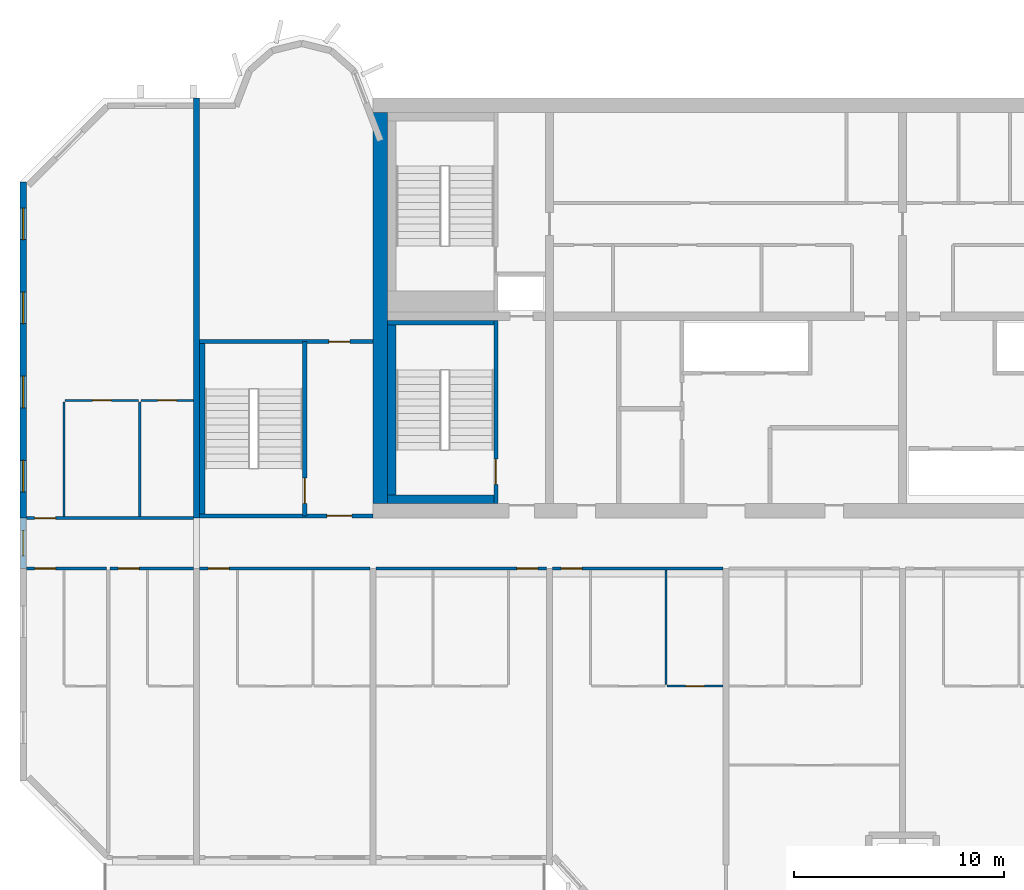
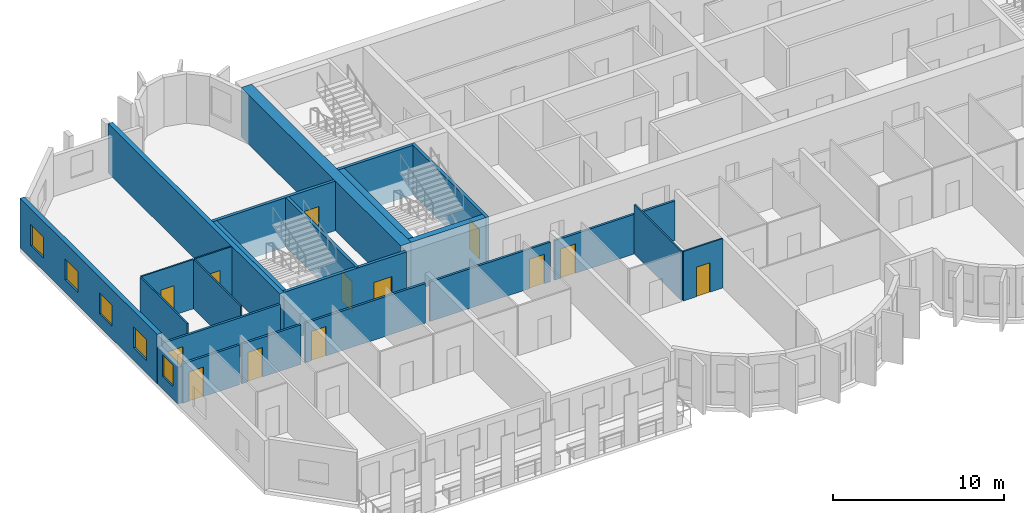
# One storey, part 3 of 13: 24 walls, 13 doors, 5 windows, 18 openings.
"""IFC4 building model written with IfcOpenShell, lengths in metres."""

from ifc_helpers import new_model, si_unit, direction, frame, frame_2d, origin, place, context, subcontext, project, spatial, rectangle, extrude, source, transform, mapped, material, layer, layer_set, type_object, element, fill, save


model = new_model("IFC4")

# Units and contexts
model_context = context("Model", 3, precision=1e-05, world=origin(), true_north=direction((0.0, 1.0)))
body_context = subcontext(model_context, "Body", "Model", "MODEL_VIEW")
ifc_project = project(units=[si_unit("LENGTHUNIT", "METRE"), si_unit("AREAUNIT", "SQUARE_METRE"), si_unit("VOLUMEUNIT", "CUBIC_METRE"), si_unit("PLANEANGLEUNIT", "RADIAN"), si_unit("MASSUNIT", "GRAM", prefix="KILO")], contexts=[model_context])

# Site, building, storey
site_placement = place(None, origin())
site = spatial("IfcSite", under=ifc_project, at=site_placement, CompositionType="ELEMENT")
building_placement = place(site_placement, origin())
building = spatial("IfcBuilding", under=site, at=building_placement, Name="Vanashikhar Sky Hotel", CompositionType="ELEMENT")
storey_placement = place(building_placement, frame((0.0, 0.0, 185.800048828125)))
storey = spatial("IfcBuildingStorey", under=building, at=storey_placement, Name="L45", CompositionType="ELEMENT", Elevation=185.800048828125)

# Wall
ifc_material_1 = material(Name="Concrete M60", Category="concrete")
ifc_layer_1 = layer(ifc_material_1, 0.699951171875)
ifc_layer_set_1 = layer_set([ifc_layer_1], Name="RC core shell wall 700 Concrete M60")
wall_type_1 = type_object("IfcWallType", Name="RC core shell wall 700 Concrete M60", PredefinedType="SHEAR", material=ifc_layer_set_1)
shared_shape_1 = source(origin(), body_context, "Body", "SweptSolid", [
    extrude(rectangle(XDim=18.60009765625, YDim=0.699951171875, at=frame_2d((9.300048828125, 0.0))), origin(), (0.0, 0.0, 1.0), 3.52001953125),
])
wall_1_placement = place(storey_placement, frame((25.550048828125, 22.699951171875, 0.0), z_axis=(0.0, 0.0, 1.0), x_axis=(0.0, 1.0, 0.0)))
element("IfcWall", 1, at=wall_1_placement, inside=storey, type_object=wall_type_1, Name="KW-L45-KW", PredefinedType="SHEAR", context=body_context, shape_type="MappedRepresentation", body=[
    mapped(shared_shape_1, transform((0.0, 0.0, 0.0), scale=1.0)),
])

# Wall, openings, windows
ifc_layer_2 = layer(ifc_material_1, 0.300048828125)
ifc_layer_set_2 = layer_set([ifc_layer_2], Name="RC shear wall 300 Concrete M60")
wall_type_2 = type_object("IfcWallType", Name="RC shear wall 300 Concrete M60", PredefinedType="SHEAR", material=ifc_layer_set_2)
shared_shape_2 = source(origin(), body_context, "Body", "SweptSolid", [
    extrude(rectangle(XDim=16.0, YDim=0.300048828125, at=frame_2d((8.0, 0.0))), origin(), (0.0, 0.0, 1.0), 3.52001953125),
])
wall_2_placement = place(storey_placement, frame((8.550048828125, 22.0, 0.0), z_axis=(0.0, 0.0, 1.0), x_axis=(0.0, 1.0, 0.0)))
wall_2 = element("IfcWall", 2, at=wall_2_placement, inside=storey, type_object=wall_type_2, Name="CW-L45-XW02-2", PredefinedType="SHEAR", context=body_context, shape_type="MappedRepresentation", body=[
    mapped(shared_shape_2, transform((0.0, 0.0, 0.0), scale=1.0)),
])
shared_shape_3 = source(origin(), body_context, "Body", "SweptSolid", [
    extrude(rectangle(XDim=1.5, YDim=1.5, at=frame_2d((0.75, 0.75))), frame((0.0, 0.16015625, 0.0), z_axis=(0.0, -1.0, 0.0), x_axis=(1.0, 0.0, 0.0)), (0.0, 0.0, 1.0), 0.320068359375),
])
opening_1_placement = place(wall_2_placement, frame((1.25, 0.0, 0.89990234375)))
opening_1 = element("IfcOpeningElement", 3, at=opening_1_placement, cuts=wall_2, Name="Opening WN-1", PredefinedType="OPENING", context=body_context, shape_type="MappedRepresentation", body=[
    mapped(shared_shape_3, transform((0.0, 0.0, 0.0), scale=1.0)),
])
opening_2_placement = place(wall_2_placement, frame((5.25, 0.0, 0.89990234375)))
opening_2 = element("IfcOpeningElement", 4, at=opening_2_placement, cuts=wall_2, Name="Opening WN-1", PredefinedType="OPENING", context=body_context, shape_type="MappedRepresentation", body=[
    mapped(shared_shape_3, transform((0.0, 0.0, 0.0), scale=1.0)),
])
opening_3_placement = place(wall_2_placement, frame((9.25, 0.0, 0.89990234375)))
opening_3 = element("IfcOpeningElement", 5, at=opening_3_placement, cuts=wall_2, Name="Opening WN-1", PredefinedType="OPENING", context=body_context, shape_type="MappedRepresentation", body=[
    mapped(shared_shape_3, transform((0.0, 0.0, 0.0), scale=1.0)),
])
opening_4_placement = place(wall_2_placement, frame((13.25, 0.0, 0.89990234375)))
opening_4 = element("IfcOpeningElement", 6, at=opening_4_placement, cuts=wall_2, Name="Opening WN-1", PredefinedType="OPENING", context=body_context, shape_type="MappedRepresentation", body=[
    mapped(shared_shape_3, transform((0.0, 0.0, 0.0), scale=1.0)),
])
ifc_material_2 = material(Name="Glass", Category="glass")
window_type_1 = type_object("IfcWindowType", Name="Window 1500 x 1500", PartitioningType="SINGLE_PANEL", PredefinedType="WINDOW", material=ifc_material_2)
shared_shape_4 = source(origin(), body_context, "Body", "SweptSolid", [
    extrude(rectangle(XDim=1.5, YDim=1.5, at=frame_2d((0.75, 0.75))), frame((0.0, 0.030029296875, 0.0), z_axis=(0.0, -1.0, 0.0), x_axis=(1.0, 0.0, 0.0)), (0.0, 0.0, 1.0), 0.06005859375),
])
window_1_placement = place(opening_1_placement, origin())
window_1 = element("IfcWindow", 7, at=window_1_placement, inside=storey, type_object=window_type_1, Name="Window WN-1", OverallHeight=1.5, OverallWidth=1.5, PartitioningType="SINGLE_PANEL", PredefinedType="WINDOW", context=body_context, shape_type="MappedRepresentation", body=[
    mapped(shared_shape_4, transform((0.0, 0.0, 0.0), scale=1.0)),
])
fill(opening_1, window_1)
window_2_placement = place(opening_2_placement, origin())
window_2 = element("IfcWindow", 8, at=window_2_placement, inside=storey, type_object=window_type_1, Name="Window WN-1", OverallHeight=1.5, OverallWidth=1.5, PartitioningType="SINGLE_PANEL", PredefinedType="WINDOW", context=body_context, shape_type="MappedRepresentation", body=[
    mapped(shared_shape_4, transform((0.0, 0.0, 0.0), scale=1.0)),
])
fill(opening_2, window_2)
window_3_placement = place(opening_3_placement, origin())
window_3 = element("IfcWindow", 9, at=window_3_placement, inside=storey, type_object=window_type_1, Name="Window WN-1", OverallHeight=1.5, OverallWidth=1.5, PartitioningType="SINGLE_PANEL", PredefinedType="WINDOW", context=body_context, shape_type="MappedRepresentation", body=[
    mapped(shared_shape_4, transform((0.0, 0.0, 0.0), scale=1.0)),
])
fill(opening_3, window_3)
window_4_placement = place(opening_4_placement, origin())
window_4 = element("IfcWindow", 10, at=window_4_placement, inside=storey, type_object=window_type_1, Name="Window WN-1", OverallHeight=1.5, OverallWidth=1.5, PartitioningType="SINGLE_PANEL", PredefinedType="WINDOW", context=body_context, shape_type="MappedRepresentation", body=[
    mapped(shared_shape_4, transform((0.0, 0.0, 0.0), scale=1.0)),
])
fill(opening_4, window_4)

# Wall
shared_shape_5 = source(origin(), body_context, "Body", "SweptSolid", [
    extrude(rectangle(XDim=20.0, YDim=0.300048828125, at=frame_2d((10.0, 0.0))), origin(), (0.0, 0.0, 1.0), 3.52001953125),
])
wall_3_placement = place(storey_placement, frame((16.800048828125, 22.0, 0.0), z_axis=(0.0, 0.0, 1.0), x_axis=(0.0, 1.0, 0.0)))
element("IfcWall", 11, at=wall_3_placement, inside=storey, type_object=wall_type_2, Name="CW-L45-XW03-2", PredefinedType="SHEAR", context=body_context, shape_type="MappedRepresentation", body=[
    mapped(shared_shape_5, transform((0.0, 0.0, 0.0), scale=1.0)),
])

# Wall, opening, window
ifc_material_3 = material(Name="Concrete M50", Category="concrete")
ifc_layer_3 = layer(ifc_material_3, 0.25)
ifc_layer_set_3 = layer_set([ifc_layer_3], Name="Rear and end board-marked wall 250")
wall_type_3 = type_object("IfcWallType", Name="Rear and end board-marked wall 250", PredefinedType="SOLIDWALL", material=ifc_layer_set_3)
shared_shape_6 = source(origin(), body_context, "Body", "SweptSolid", [
    extrude(rectangle(XDim=2.39990234375, YDim=0.25, at=frame_2d((1.199951171875, 0.0))), origin(), (0.0, 0.0, 1.0), 2.619873046875),
])
wall_4_placement = place(storey_placement, frame((8.550048828125, 19.60009765625, 0.0), z_axis=(0.0, 0.0, 1.0), x_axis=(0.0, 1.0, 0.0)))
wall_4 = element("IfcWall", 12, at=wall_4_placement, inside=storey, type_object=wall_type_3, Name="End corridor infill wall", PredefinedType="SOLIDWALL", context=body_context, shape_type="MappedRepresentation", body=[
    mapped(shared_shape_6, transform((0.0, 0.0, 0.0), scale=1.0)),
])
shared_shape_7 = source(origin(), body_context, "Body", "SweptSolid", [
    extrude(rectangle(XDim=1.199951171875, YDim=1.5, at=frame_2d((0.60009765625, 0.75))), frame((0.0, 0.135009765625, 0.0), z_axis=(0.0, -1.0, 0.0), x_axis=(1.0, 0.0, 0.0)), (0.0, 0.0, 1.0), 0.27001953125),
])
opening_5_placement = place(wall_4_placement, frame((0.60009765625, 0.0, 0.89990234375)))
opening_5 = element("IfcOpeningElement", 13, at=opening_5_placement, cuts=wall_4, Name="Opening WN-3", PredefinedType="OPENING", context=body_context, shape_type="MappedRepresentation", body=[
    mapped(shared_shape_7, transform((0.0, 0.0, 0.0), scale=1.0)),
])
window_type_2 = type_object("IfcWindowType", Name="Corridor end window 1200 x 1500", PartitioningType="SINGLE_PANEL", PredefinedType="WINDOW", material=ifc_material_2)
shared_shape_8 = source(origin(), body_context, "Body", "SweptSolid", [
    extrude(rectangle(XDim=1.199951171875, YDim=1.5, at=frame_2d((0.60009765625, 0.75))), frame((0.0, 0.030029296875, 0.0), z_axis=(0.0, -1.0, 0.0), x_axis=(1.0, 0.0, 0.0)), (0.0, 0.0, 1.0), 0.06005859375),
])
window_5_placement = place(opening_5_placement, origin())
window_5 = element("IfcWindow", 14, at=window_5_placement, inside=storey, type_object=window_type_2, Name="Window WN-3", OverallHeight=1.5, OverallWidth=1.199951171875, PartitioningType="SINGLE_PANEL", PredefinedType="WINDOW", context=body_context, shape_type="MappedRepresentation", body=[
    mapped(shared_shape_8, transform((0.0, 0.0, 0.0), scale=1.0)),
])
fill(opening_5, window_5)

# Wall, opening, door
ifc_layer_4 = layer(ifc_material_3, 0.199951171875)
ifc_layer_set_4 = layer_set([ifc_layer_4], Name="Stair wall 200")
wall_type_4 = type_object("IfcWallType", Name="Stair wall 200", PredefinedType="SOLIDWALL", material=ifc_layer_set_4)
shared_shape_9 = source(origin(), body_context, "Body", "SweptSolid", [
    extrude(rectangle(XDim=8.2998046875, YDim=0.199951171875, at=frame_2d((4.14990234375, 0.0))), origin(), (0.0, 0.0, 1.0), 3.52001953125),
])
wall_5_placement = place(storey_placement, frame((21.949951171875, 22.10009765625, 0.0), z_axis=(0.0, 0.0, 1.0), x_axis=(0.0, 1.0, 0.0)))
wall_5 = element("IfcWall", 15, at=wall_5_placement, inside=storey, type_object=wall_type_4, Name="Stair wall 200", PredefinedType="SOLIDWALL", context=body_context, shape_type="MappedRepresentation", body=[
    mapped(shared_shape_9, transform((0.0, 0.0, 0.0), scale=1.0)),
])
shared_shape_10 = source(origin(), body_context, "Body", "SweptSolid", [
    extrude(rectangle(XDim=1.199951171875, YDim=2.10009765625, at=frame_2d((0.60009765625, 1.050048828125))), frame((0.0, 0.10986328125, 0.0), z_axis=(0.0, -1.0, 0.0), x_axis=(1.0, 0.0, 0.0)), (0.0, 0.0, 1.0), 0.219970703125),
])
opening_6_placement = place(wall_5_placement, frame((0.60009765625, 0.0, 0.0)))
opening_6 = element("IfcOpeningElement", 16, at=opening_6_placement, cuts=wall_5, Name="Opening DC-1", PredefinedType="OPENING", context=body_context, shape_type="MappedRepresentation", body=[
    mapped(shared_shape_10, transform((0.0, 0.0, 0.0), scale=1.0)),
])
ifc_material_4 = material(Name="Steel", Category="steel")
door_type_1 = type_object("IfcDoorType", Name="Stair door 1200 FD120", OperationType="NOTDEFINED", PredefinedType="DOOR", material=ifc_material_4)
shared_shape_11 = source(origin(), body_context, "Body", "SweptSolid", [
    extrude(rectangle(XDim=1.199951171875, YDim=2.10009765625, at=frame_2d((0.60009765625, 1.050048828125))), frame((0.0, 0.02490234375, 0.0), z_axis=(0.0, -1.0, 0.0), x_axis=(1.0, 0.0, 0.0)), (0.0, 0.0, 1.0), 0.050048828125),
])
door_1_placement = place(opening_6_placement, origin())
door_1 = element("IfcDoor", 17, at=door_1_placement, inside=storey, type_object=door_type_1, Name="Stair door 1200 FD120", OperationType="SINGLE_SWING_LEFT", OverallHeight=2.10009765625, OverallWidth=1.199951171875, PredefinedType="DOOR", context=body_context, shape_type="MappedRepresentation", body=[
    mapped(shared_shape_11, transform((0.0, 0.0, 0.0), scale=1.0)),
])
fill(opening_6, door_1)

shared_shape_12 = source(origin(), body_context, "Body", "SweptSolid", [
    extrude(rectangle(XDim=8.699951171875, YDim=0.199951171875, at=frame_2d((4.35009765625, 0.0))), origin(), (0.0, 0.0, 1.0), 3.52001953125),
])
wall_6_placement = place(storey_placement, frame((31.050048828125, 22.699951171875, 0.0), z_axis=(0.0, 0.0, 1.0), x_axis=(0.0, 1.0, 0.0)))
wall_6 = element("IfcWall", 18, at=wall_6_placement, inside=storey, type_object=wall_type_4, Name="Stair wall 200", PredefinedType="SOLIDWALL", context=body_context, shape_type="MappedRepresentation", body=[
    mapped(shared_shape_12, transform((0.0, 0.0, 0.0), scale=1.0)),
])
opening_7_placement = place(wall_6_placement, frame((0.89990234375, 0.0, 0.0)))
opening_7 = element("IfcOpeningElement", 19, at=opening_7_placement, cuts=wall_6, Name="Opening DC-1", PredefinedType="OPENING", context=body_context, shape_type="MappedRepresentation", body=[
    mapped(shared_shape_10, transform((0.0, 0.0, 0.0), scale=1.0)),
])
door_2_placement = place(opening_7_placement, origin())
door_2 = element("IfcDoor", 20, at=door_2_placement, inside=storey, type_object=door_type_1, Name="Stair door 1200 FD120", OperationType="SINGLE_SWING_RIGHT", OverallHeight=2.10009765625, OverallWidth=1.199951171875, PredefinedType="DOOR", context=body_context, shape_type="MappedRepresentation", body=[
    mapped(shared_shape_11, transform((0.0, 0.0, 0.0), scale=1.0)),
])
fill(opening_7, door_2)

shared_shape_13 = source(origin(), body_context, "Body", "SweptSolid", [
    extrude(rectangle(XDim=8.25, YDim=0.199951171875, at=frame_2d((4.125, 0.0))), origin(), (0.0, 0.0, 1.0), 3.52001953125),
])
wall_7_placement = place(storey_placement, frame((16.949951171875, 22.10009765625, 0.0), z_axis=(0.0, 0.0, 1.0), x_axis=(1.0, 0.0, 0.0)))
wall_7 = element("IfcWall", 21, at=wall_7_placement, inside=storey, type_object=wall_type_4, Name="Stair wall 200", PredefinedType="SOLIDWALL", context=body_context, shape_type="MappedRepresentation", body=[
    mapped(shared_shape_13, transform((0.0, 0.0, 0.0), scale=1.0)),
])
opening_8_placement = place(wall_7_placement, frame((6.050048828125, 0.0, 0.0)))
opening_8 = element("IfcOpeningElement", 22, at=opening_8_placement, cuts=wall_7, Name="Opening DC-2", PredefinedType="OPENING", context=body_context, shape_type="MappedRepresentation", body=[
    mapped(shared_shape_10, transform((0.0, 0.0, 0.0), scale=1.0)),
])
door_type_2 = type_object("IfcDoorType", Name="Firefighting lobby door 1200 FD120", OperationType="NOTDEFINED", PredefinedType="DOOR", material=ifc_material_4)
door_3_placement = place(opening_8_placement, origin())
door_3 = element("IfcDoor", 23, at=door_3_placement, inside=storey, type_object=door_type_2, Name="Firefighting lobby door 1200 FD120", OperationType="SINGLE_SWING_RIGHT", OverallHeight=2.10009765625, OverallWidth=1.199951171875, PredefinedType="DOOR", context=body_context, shape_type="MappedRepresentation", body=[
    mapped(shared_shape_11, transform((0.0, 0.0, 0.0), scale=1.0)),
])
fill(opening_8, door_3)

wall_8_placement = place(storey_placement, frame((16.949951171875, 30.39990234375, 0.0), z_axis=(0.0, 0.0, 1.0), x_axis=(1.0, 0.0, 0.0)))
wall_8 = element("IfcWall", 24, at=wall_8_placement, inside=storey, type_object=wall_type_4, Name="Stair wall 200", PredefinedType="SOLIDWALL", context=body_context, shape_type="MappedRepresentation", body=[
    mapped(shared_shape_13, transform((0.0, 0.0, 0.0), scale=1.0)),
])
shared_shape_14 = source(origin(), body_context, "Body", "SweptSolid", [
    extrude(rectangle(XDim=1.0, YDim=2.10009765625, at=frame_2d((0.5, 1.050048828125))), frame((0.0, 0.10986328125, 0.0), z_axis=(0.0, -1.0, 0.0), x_axis=(1.0, 0.0, 0.0)), (0.0, 0.0, 1.0), 0.219970703125),
])
opening_9_placement = place(wall_8_placement, frame((6.14990234375, 0.0, 0.0)))
opening_9 = element("IfcOpeningElement", 25, at=opening_9_placement, cuts=wall_8, Name="Opening DC-6", PredefinedType="OPENING", context=body_context, shape_type="MappedRepresentation", body=[
    mapped(shared_shape_14, transform((0.0, 0.0, 0.0), scale=1.0)),
])
door_type_3 = type_object("IfcDoorType", Name="Pocket door 1000 FD60", OperationType="NOTDEFINED", PredefinedType="DOOR", material=ifc_material_4)
shared_shape_15 = source(origin(), body_context, "Body", "SweptSolid", [
    extrude(rectangle(XDim=1.0, YDim=2.10009765625, at=frame_2d((0.5, 1.050048828125))), frame((0.0, 0.02490234375, 0.0), z_axis=(0.0, -1.0, 0.0), x_axis=(1.0, 0.0, 0.0)), (0.0, 0.0, 1.0), 0.050048828125),
])
door_4_placement = place(opening_9_placement, origin())
door_4 = element("IfcDoor", 26, at=door_4_placement, inside=storey, type_object=door_type_3, Name="Pocket door 1000 FD60", OperationType="SINGLE_SWING_RIGHT", OverallHeight=2.10009765625, OverallWidth=1.0, PredefinedType="DOOR", context=body_context, shape_type="MappedRepresentation", body=[
    mapped(shared_shape_15, transform((0.0, 0.0, 0.0), scale=1.0)),
])
fill(opening_9, door_4)

# Walls
ifc_layer_5 = layer(ifc_material_3, 0.39990234375)
ifc_layer_set_5 = layer_set([ifc_layer_5], Name="Stair infill wall 400")
wall_type_5 = type_object("IfcWallType", Name="Stair infill wall 400", PredefinedType="SOLIDWALL", material=ifc_layer_set_5)
shared_shape_16 = source(origin(), body_context, "Body", "SweptSolid", [
    extrude(rectangle(XDim=5.050048828125, YDim=0.39990234375, at=frame_2d((2.52490234375, 0.0))), origin(), (0.0, 0.0, 1.0), 3.52001953125),
])
wall_9_placement = place(storey_placement, frame((25.89990234375, 22.89990234375, 0.0), z_axis=(0.0, 0.0, 1.0), x_axis=(1.0, 0.0, 0.0)))
element("IfcWall", 27, at=wall_9_placement, inside=storey, type_object=wall_type_5, Name="Stair infill wall 400", PredefinedType="SOLIDWALL", context=body_context, shape_type="MappedRepresentation", body=[
    mapped(shared_shape_16, transform((0.0, 0.0, 0.0), scale=1.0)),
])
ifc_layer_6 = layer(ifc_material_3, 0.199951171875)
ifc_layer_set_6 = layer_set([ifc_layer_6], Name="Stair infill wall 200")
wall_type_6 = type_object("IfcWallType", Name="Stair infill wall 200", PredefinedType="SOLIDWALL", material=ifc_layer_set_6)
shared_shape_17 = source(origin(), body_context, "Body", "SweptSolid", [
    extrude(rectangle(XDim=5.050048828125, YDim=0.199951171875, at=frame_2d((2.52490234375, 0.0))), origin(), (0.0, 0.0, 1.0), 3.52001953125),
])
wall_10_placement = place(storey_placement, frame((25.89990234375, 31.300048828125, 0.0), z_axis=(0.0, 0.0, 1.0), x_axis=(1.0, 0.0, 0.0)))
element("IfcWall", 28, at=wall_10_placement, inside=storey, type_object=wall_type_6, Name="Stair infill wall 200", PredefinedType="SOLIDWALL", context=body_context, shape_type="MappedRepresentation", body=[
    mapped(shared_shape_17, transform((0.0, 0.0, 0.0), scale=1.0)),
])
shared_shape_18 = source(origin(), body_context, "Body", "SweptSolid", [
    extrude(rectangle(XDim=8.099853515625, YDim=0.39990234375, at=frame_2d((4.0498046875, 0.0))), origin(), (0.0, 0.0, 1.0), 3.52001953125),
])
wall_11_placement = place(storey_placement, frame((26.10009765625, 23.10009765625, 0.0), z_axis=(0.0, 0.0, 1.0), x_axis=(0.0, 1.0, 0.0)))
element("IfcWall", 29, at=wall_11_placement, inside=storey, type_object=wall_type_5, Name="Stair infill wall 400", PredefinedType="SOLIDWALL", context=body_context, shape_type="MappedRepresentation", body=[
    mapped(shared_shape_18, transform((0.0, 0.0, 0.0), scale=1.0)),
])
ifc_layer_7 = layer(ifc_material_3, 0.25)
ifc_layer_set_7 = layer_set([ifc_layer_7], Name="Stair infill wall 250")
wall_type_7 = type_object("IfcWallType", Name="Stair infill wall 250", PredefinedType="SOLIDWALL", material=ifc_layer_set_7)
shared_shape_19 = source(origin(), body_context, "Body", "SweptSolid", [
    extrude(rectangle(XDim=8.10009765625, YDim=0.25, at=frame_2d((4.050048828125, 0.0))), origin(), (0.0, 0.0, 1.0), 3.52001953125),
])
wall_12_placement = place(storey_placement, frame((17.074951171875, 22.199951171875, 0.0), z_axis=(0.0, 0.0, 1.0), x_axis=(0.0, 1.0, 0.0)))
element("IfcWall", 30, at=wall_12_placement, inside=storey, type_object=wall_type_7, Name="Stair infill wall 250", PredefinedType="SOLIDWALL", context=body_context, shape_type="MappedRepresentation", body=[
    mapped(shared_shape_19, transform((0.0, 0.0, 0.0), scale=1.0)),
])

# Wall, opening, door
ifc_material_5 = material(Name="Gypsum plasterboard partition")
ifc_layer_8 = layer(ifc_material_5, 0.10009765625)
ifc_layer_set_8 = layer_set([ifc_layer_8], Name="Wet room partition 100")
wall_type_8 = type_object("IfcWallType", Name="Wet room partition 100", PredefinedType="PARTITIONING", material=ifc_layer_set_8)
shared_shape_20 = source(origin(), body_context, "Body", "SweptSolid", [
    extrude(rectangle(XDim=3.5, YDim=0.10009765625, at=frame_2d((1.75, 0.0))), origin(), (0.0, 0.0, 1.0), 3.52001953125),
])
wall_13_placement = place(storey_placement, frame((10.550048828125, 27.60009765625, 0.0), z_axis=(0.0, 0.0, 1.0), x_axis=(1.0, 0.0, 0.0)))
wall_13 = element("IfcWall", 31, at=wall_13_placement, inside=storey, type_object=wall_type_8, Name="W-L45-PW062", PredefinedType="PARTITIONING", context=body_context, shape_type="MappedRepresentation", body=[
    mapped(shared_shape_20, transform((0.0, 0.0, 0.0), scale=1.0)),
])
shared_shape_21 = source(origin(), body_context, "Body", "SweptSolid", [
    extrude(rectangle(XDim=0.89990234375, YDim=2.10009765625, at=frame_2d((0.449951171875, 1.050048828125))), frame((0.0, 0.06005859375, 0.0), z_axis=(0.0, -1.0, 0.0), x_axis=(1.0, 0.0, 0.0)), (0.0, 0.0, 1.0), 0.1201171875),
])
opening_10_placement = place(wall_13_placement, frame((1.300048828125, 0.0, 0.0)))
opening_10 = element("IfcOpeningElement", 32, at=opening_10_placement, cuts=wall_13, Name="Opening D-02", PredefinedType="OPENING", context=body_context, shape_type="MappedRepresentation", body=[
    mapped(shared_shape_21, transform((0.0, 0.0, 0.0), scale=1.0)),
])
ifc_material_6 = material(Name="Timber door", Category="wood")
door_type_4 = type_object("IfcDoorType", Name="Internal door 900", OperationType="NOTDEFINED", PredefinedType="DOOR", material=ifc_material_6)
shared_shape_22 = source(origin(), body_context, "Body", "SweptSolid", [
    extrude(rectangle(XDim=0.89990234375, YDim=2.10009765625, at=frame_2d((0.449951171875, 1.050048828125))), frame((0.0, 0.02490234375, 0.0), z_axis=(0.0, -1.0, 0.0), x_axis=(1.0, 0.0, 0.0)), (0.0, 0.0, 1.0), 0.050048828125),
])
door_5_placement = place(opening_10_placement, origin())
door_5 = element("IfcDoor", 33, at=door_5_placement, inside=storey, type_object=door_type_4, Name="D-L45-035", OperationType="SINGLE_SWING_LEFT", OverallHeight=2.10009765625, OverallWidth=0.89990234375, PredefinedType="DOOR", context=body_context, shape_type="MappedRepresentation", body=[
    mapped(shared_shape_22, transform((0.0, 0.0, 0.0), scale=1.0)),
])
fill(opening_10, door_5)

shared_shape_23 = source(origin(), body_context, "Body", "SweptSolid", [
    extrude(rectangle(XDim=2.5, YDim=0.10009765625, at=frame_2d((1.25, 0.0))), origin(), (0.0, 0.0, 1.0), 3.52001953125),
])
wall_14_placement = place(storey_placement, frame((14.14990234375, 27.60009765625, 0.0), z_axis=(0.0, 0.0, 1.0), x_axis=(1.0, 0.0, 0.0)))
wall_14 = element("IfcWall", 34, at=wall_14_placement, inside=storey, type_object=wall_type_8, Name="W-L45-PW063", PredefinedType="PARTITIONING", context=body_context, shape_type="MappedRepresentation", body=[
    mapped(shared_shape_23, transform((0.0, 0.0, 0.0), scale=1.0)),
])
opening_11_placement = place(wall_14_placement, frame((0.800048828125, 0.0, 0.0)))
opening_11 = element("IfcOpeningElement", 35, at=opening_11_placement, cuts=wall_14, Name="Opening D-02", PredefinedType="OPENING", context=body_context, shape_type="MappedRepresentation", body=[
    mapped(shared_shape_21, transform((0.0, 0.0, 0.0), scale=1.0)),
])
door_6_placement = place(opening_11_placement, origin())
door_6 = element("IfcDoor", 36, at=door_6_placement, inside=storey, type_object=door_type_4, Name="D-L45-036", OperationType="SINGLE_SWING_LEFT", OverallHeight=2.10009765625, OverallWidth=0.89990234375, PredefinedType="DOOR", context=body_context, shape_type="MappedRepresentation", body=[
    mapped(shared_shape_22, transform((0.0, 0.0, 0.0), scale=1.0)),
])
fill(opening_11, door_6)

ifc_layer_9 = layer(ifc_material_5, 0.14990234375)
ifc_layer_set_9 = layer_set([ifc_layer_9], Name="Corridor and demising partition 150")
wall_type_9 = type_object("IfcWallType", Name="Corridor and demising partition 150", PredefinedType="PARTITIONING", material=ifc_layer_set_9)
shared_shape_24 = source(origin(), body_context, "Body", "SweptSolid", [
    extrude(rectangle(XDim=7.949951171875, YDim=0.14990234375, at=frame_2d((3.97509765625, 0.0))), origin(), (0.0, 0.0, 1.0), 2.820068359375),
])
wall_15_placement = place(storey_placement, frame((8.699951171875, 22.0, 0.0), z_axis=(0.0, 0.0, 1.0), x_axis=(1.0, 0.0, 0.0)))
wall_15 = element("IfcWall", 37, at=wall_15_placement, inside=storey, type_object=wall_type_9, Name="W-L45-PW064", PredefinedType="PARTITIONING", context=body_context, shape_type="MappedRepresentation", body=[
    mapped(shared_shape_24, transform((0.0, 0.0, 0.0), scale=1.0)),
])
shared_shape_25 = source(origin(), body_context, "Body", "SweptSolid", [
    extrude(rectangle(XDim=1.0, YDim=2.10009765625, at=frame_2d((0.5, 1.050048828125))), frame((0.0, 0.0849609375, 0.0), z_axis=(0.0, -1.0, 0.0), x_axis=(1.0, 0.0, 0.0)), (0.0, 0.0, 1.0), 0.169921875),
])
opening_12_placement = place(wall_15_placement, frame((0.39990234375, 0.0, 0.0)))
opening_12 = element("IfcOpeningElement", 38, at=opening_12_placement, cuts=wall_15, Name="Opening D-01", PredefinedType="OPENING", context=body_context, shape_type="MappedRepresentation", body=[
    mapped(shared_shape_25, transform((0.0, 0.0, 0.0), scale=1.0)),
])
ifc_material_7 = material(Name="Timber fire door", Category="wood")
door_type_5 = type_object("IfcDoorType", Name="Guest entry door 1000 FD30S", OperationType="NOTDEFINED", PredefinedType="DOOR", material=ifc_material_7)
door_7_placement = place(opening_12_placement, origin())
door_7 = element("IfcDoor", 39, at=door_7_placement, inside=storey, type_object=door_type_5, Name="D-L45-037", OperationType="SINGLE_SWING_LEFT", OverallHeight=2.10009765625, OverallWidth=1.0, PredefinedType="DOOR", context=body_context, shape_type="MappedRepresentation", body=[
    mapped(shared_shape_15, transform((0.0, 0.0, 0.0), scale=1.0)),
])
fill(opening_12, door_7)

# Walls
shared_shape_26 = source(origin(), body_context, "Body", "SweptSolid", [
    extrude(rectangle(XDim=5.449951171875, YDim=0.10009765625, at=frame_2d((2.72509765625, 0.0))), origin(), (0.0, 0.0, 1.0), 3.52001953125),
])
for number, where, z_axis, x_axis, name in (
    (40, (39.14990234375, 14.074951171875, 0.0), (0.0, 0.0, 1.0), (0.0, 1.0, 0.0), "W-L45-PW019"),
    (41, (10.5, 22.074951171875, 0.0), (0.0, 0.0, 1.0), (0.0, 1.0, 0.0), "W-L45-PW060"),
    (42, (14.10009765625, 22.074951171875, 0.0), (0.0, 0.0, 1.0), (0.0, 1.0, 0.0), "W-L45-PW061"),
):
    element("IfcWall", number, at=place(storey_placement, frame(where, z_axis=z_axis, x_axis=x_axis)), inside=storey, type_object=wall_type_8, Name=name, PredefinedType="PARTITIONING", context=body_context, shape_type="MappedRepresentation", body=[
        mapped(shared_shape_26, transform((0.0, 0.0, 0.0), scale=1.0)),
    ])

# Wall, opening, door
shared_shape_27 = source(origin(), body_context, "Body", "SweptSolid", [
    extrude(rectangle(XDim=2.650146484375, YDim=0.10009765625, at=frame_2d((1.3251953125, 0.0))), origin(), (0.0, 0.0, 1.0), 3.52001953125),
])
wall_16_placement = place(storey_placement, frame((39.199951171875, 14.0, 0.0), z_axis=(0.0, 0.0, 1.0), x_axis=(1.0, 0.0, 0.0)))
wall_16 = element("IfcWall", 43, at=wall_16_placement, inside=storey, type_object=wall_type_8, Name="W-L45-PW021", PredefinedType="PARTITIONING", context=body_context, shape_type="MappedRepresentation", body=[
    mapped(shared_shape_27, transform((0.0, 0.0, 0.0), scale=1.0)),
])
opening_13_placement = place(wall_16_placement, frame((0.875, 0.0, 0.0)))
opening_13 = element("IfcOpeningElement", 44, at=opening_13_placement, cuts=wall_16, Name="Opening D-02", PredefinedType="OPENING", context=body_context, shape_type="MappedRepresentation", body=[
    mapped(shared_shape_21, transform((0.0, 0.0, 0.0), scale=1.0)),
])
door_8_placement = place(opening_13_placement, origin())
door_8 = element("IfcDoor", 45, at=door_8_placement, inside=storey, type_object=door_type_4, Name="D-L45-012", OperationType="SINGLE_SWING_LEFT", OverallHeight=2.10009765625, OverallWidth=0.89990234375, PredefinedType="DOOR", context=body_context, shape_type="MappedRepresentation", body=[
    mapped(shared_shape_22, transform((0.0, 0.0, 0.0), scale=1.0)),
])
fill(opening_13, door_8)

shared_shape_28 = source(origin(), body_context, "Body", "SweptSolid", [
    extrude(rectangle(XDim=8.10009765625, YDim=0.14990234375, at=frame_2d((4.050048828125, 0.0))), origin(), (0.0, 0.0, 1.0), 2.820068359375),
])
wall_17_placement = place(storey_placement, frame((16.949951171875, 19.60009765625, 0.0), z_axis=(0.0, 0.0, 1.0), x_axis=(1.0, 0.0, 0.0)))
wall_17 = element("IfcWall", 46, at=wall_17_placement, inside=storey, type_object=wall_type_9, Name="W-L45-PW012", PredefinedType="PARTITIONING", context=body_context, shape_type="MappedRepresentation", body=[
    mapped(shared_shape_28, transform((0.0, 0.0, 0.0), scale=1.0)),
])
opening_14_placement = place(wall_17_placement, frame((0.39990234375, 0.0, 0.0)))
opening_14 = element("IfcOpeningElement", 47, at=opening_14_placement, cuts=wall_17, Name="Opening D-01", PredefinedType="OPENING", context=body_context, shape_type="MappedRepresentation", body=[
    mapped(shared_shape_25, transform((0.0, 0.0, 0.0), scale=1.0)),
])
door_9_placement = place(opening_14_placement, origin())
door_9 = element("IfcDoor", 48, at=door_9_placement, inside=storey, type_object=door_type_5, Name="D-L45-007", OperationType="SINGLE_SWING_LEFT", OverallHeight=2.10009765625, OverallWidth=1.0, PredefinedType="DOOR", context=body_context, shape_type="MappedRepresentation", body=[
    mapped(shared_shape_15, transform((0.0, 0.0, 0.0), scale=1.0)),
])
fill(opening_14, door_9)

wall_18_placement = place(storey_placement, frame((33.75, 19.60009765625, 0.0), z_axis=(0.0, 0.0, 1.0), x_axis=(1.0, 0.0, 0.0)))
wall_18 = element("IfcWall", 49, at=wall_18_placement, inside=storey, type_object=wall_type_9, Name="W-L45-PW022", PredefinedType="PARTITIONING", context=body_context, shape_type="MappedRepresentation", body=[
    mapped(shared_shape_28, transform((0.0, 0.0, 0.0), scale=1.0)),
])
opening_15_placement = place(wall_18_placement, frame((0.39990234375, 0.0, 0.0)))
opening_15 = element("IfcOpeningElement", 50, at=opening_15_placement, cuts=wall_18, Name="Opening D-01", PredefinedType="OPENING", context=body_context, shape_type="MappedRepresentation", body=[
    mapped(shared_shape_25, transform((0.0, 0.0, 0.0), scale=1.0)),
])
door_10_placement = place(opening_15_placement, origin())
door_10 = element("IfcDoor", 51, at=door_10_placement, inside=storey, type_object=door_type_5, Name="D-L45-013", OperationType="SINGLE_SWING_LEFT", OverallHeight=2.10009765625, OverallWidth=1.0, PredefinedType="DOOR", context=body_context, shape_type="MappedRepresentation", body=[
    mapped(shared_shape_15, transform((0.0, 0.0, 0.0), scale=1.0)),
])
fill(opening_15, door_10)

shared_shape_29 = source(origin(), body_context, "Body", "SweptSolid", [
    extrude(rectangle(XDim=3.974853515625, YDim=0.14990234375, at=frame_2d((1.9873046875, 0.0))), origin(), (0.0, 0.0, 1.0), 2.820068359375),
])
wall_19_placement = place(storey_placement, frame((12.675048828125, 19.60009765625, 0.0), z_axis=(0.0, 0.0, 1.0), x_axis=(1.0, 0.0, 0.0)))
wall_19 = element("IfcWall", 52, at=wall_19_placement, inside=storey, type_object=wall_type_9, Name="W-L45-PW006", PredefinedType="PARTITIONING", context=body_context, shape_type="MappedRepresentation", body=[
    mapped(shared_shape_29, transform((0.0, 0.0, 0.0), scale=1.0)),
])
opening_16_placement = place(wall_19_placement, frame((0.39990234375, 0.0, 0.0)))
opening_16 = element("IfcOpeningElement", 53, at=opening_16_placement, cuts=wall_19, Name="Opening D-01", PredefinedType="OPENING", context=body_context, shape_type="MappedRepresentation", body=[
    mapped(shared_shape_25, transform((0.0, 0.0, 0.0), scale=1.0)),
])
door_11_placement = place(opening_16_placement, origin())
door_11 = element("IfcDoor", 54, at=door_11_placement, inside=storey, type_object=door_type_5, Name="D-L45-004", OperationType="SINGLE_SWING_LEFT", OverallHeight=2.10009765625, OverallWidth=1.0, PredefinedType="DOOR", context=body_context, shape_type="MappedRepresentation", body=[
    mapped(shared_shape_15, transform((0.0, 0.0, 0.0), scale=1.0)),
])
fill(opening_16, door_11)

shared_shape_30 = source(origin(), body_context, "Body", "SweptSolid", [
    extrude(rectangle(XDim=8.099853515625, YDim=0.14990234375, at=frame_2d((4.0498046875, 0.0))), origin(), (0.0, 0.0, 1.0), 2.820068359375),
])
wall_20_placement = place(storey_placement, frame((25.35009765625, 19.60009765625, 0.0), z_axis=(0.0, 0.0, 1.0), x_axis=(1.0, 0.0, 0.0)))
wall_20 = element("IfcWall", 55, at=wall_20_placement, inside=storey, type_object=wall_type_9, Name="W-L45-PW017", PredefinedType="PARTITIONING", context=body_context, shape_type="MappedRepresentation", body=[
    mapped(shared_shape_30, transform((0.0, 0.0, 0.0), scale=1.0)),
])
opening_17_placement = place(wall_20_placement, frame((6.699951171875, 0.0, 0.0)))
opening_17 = element("IfcOpeningElement", 56, at=opening_17_placement, cuts=wall_20, Name="Opening D-01", PredefinedType="OPENING", context=body_context, shape_type="MappedRepresentation", body=[
    mapped(shared_shape_25, transform((0.0, 0.0, 0.0), scale=1.0)),
])
door_12_placement = place(opening_17_placement, origin())
door_12 = element("IfcDoor", 57, at=door_12_placement, inside=storey, type_object=door_type_5, Name="D-L45-010", OperationType="SINGLE_SWING_RIGHT", OverallHeight=2.10009765625, OverallWidth=1.0, PredefinedType="DOOR", context=body_context, shape_type="MappedRepresentation", body=[
    mapped(shared_shape_15, transform((0.0, 0.0, 0.0), scale=1.0)),
])
fill(opening_17, door_12)

shared_shape_31 = source(origin(), body_context, "Body", "SweptSolid", [
    extrude(rectangle(XDim=3.824951171875, YDim=0.14990234375, at=frame_2d((1.91259765625, 0.0))), origin(), (0.0, 0.0, 1.0), 2.820068359375),
])
wall_21_placement = place(storey_placement, frame((8.699951171875, 19.60009765625, 0.0), z_axis=(0.0, 0.0, 1.0), x_axis=(1.0, 0.0, 0.0)))
wall_21 = element("IfcWall", 58, at=wall_21_placement, inside=storey, type_object=wall_type_9, Name="W-L45-PW003", PredefinedType="PARTITIONING", context=body_context, shape_type="MappedRepresentation", body=[
    mapped(shared_shape_31, transform((0.0, 0.0, 0.0), scale=1.0)),
])
opening_18_placement = place(wall_21_placement, frame((0.39990234375, 0.0, 0.0)))
opening_18 = element("IfcOpeningElement", 59, at=opening_18_placement, cuts=wall_21, Name="Opening D-01", PredefinedType="OPENING", context=body_context, shape_type="MappedRepresentation", body=[
    mapped(shared_shape_25, transform((0.0, 0.0, 0.0), scale=1.0)),
])
door_13_placement = place(opening_18_placement, origin())
door_13 = element("IfcDoor", 60, at=door_13_placement, inside=storey, type_object=door_type_5, Name="D-L45-002", OperationType="SINGLE_SWING_LEFT", OverallHeight=2.10009765625, OverallWidth=1.0, PredefinedType="DOOR", context=body_context, shape_type="MappedRepresentation", body=[
    mapped(shared_shape_15, transform((0.0, 0.0, 0.0), scale=1.0)),
])
fill(opening_18, door_13)

save(model, "model.ifc")
